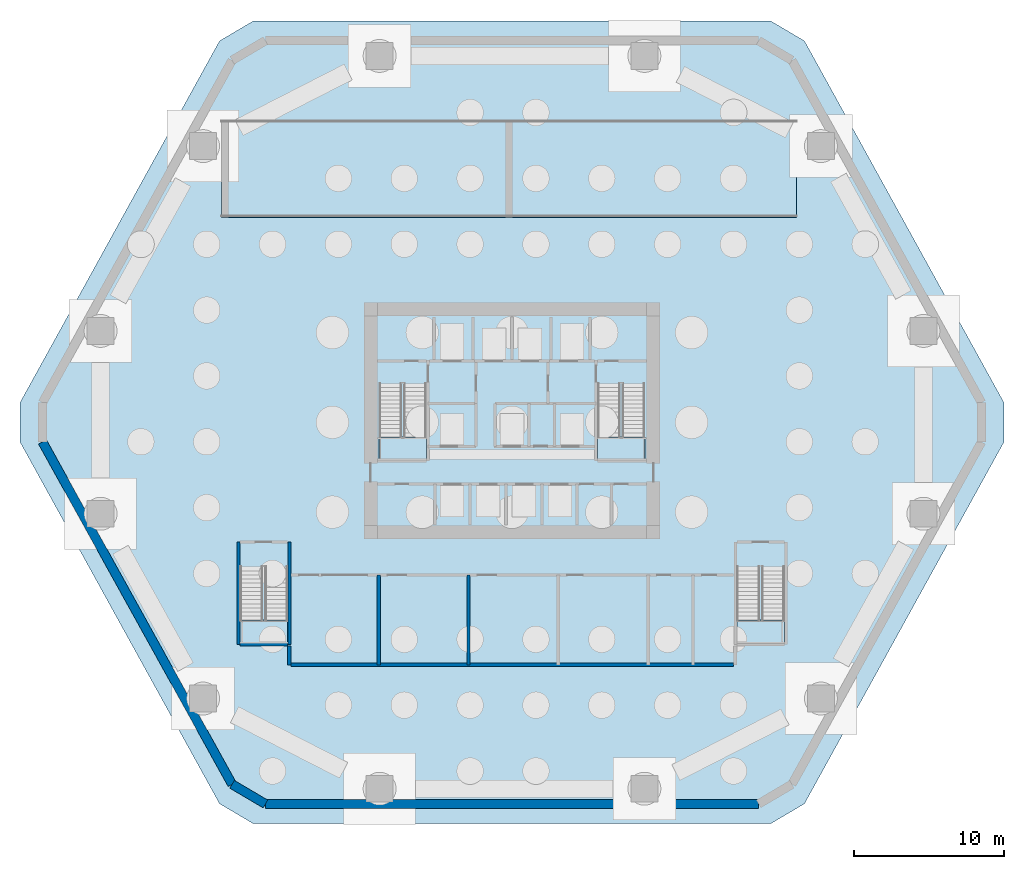
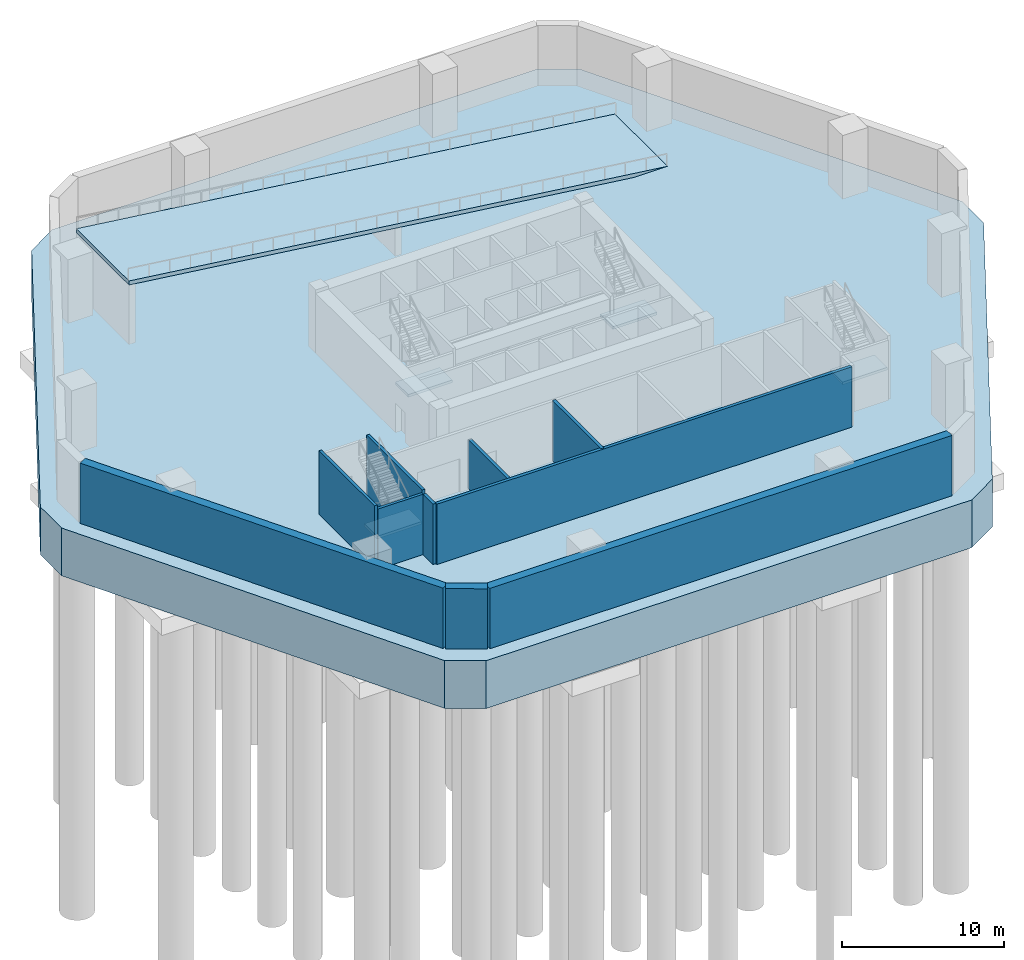
# One storey, part 2 of 9: 10 walls, 6 slabs, 4 elements without a shape of their own.
"""IFC4 building model written with IfcOpenShell, lengths in metres."""

from ifc_helpers import new_model, si_unit, direction, frame, frame_2d, origin, place, context, subcontext, project, spatial, polyline, rectangle, outline, extrude, material, layer, layer_set, type_object, element, aggregate, save


model = new_model("IFC4")

# Units and contexts
model_context = context("Model", 3, precision=1e-05, world=origin(), true_north=direction((0.0, 1.0)))
body_context = subcontext(model_context, "Body", "Model", "MODEL_VIEW")
ifc_project = project(units=[si_unit("LENGTHUNIT", "METRE"), si_unit("AREAUNIT", "SQUARE_METRE"), si_unit("VOLUMEUNIT", "CUBIC_METRE"), si_unit("PLANEANGLEUNIT", "RADIAN"), si_unit("MASSUNIT", "GRAM", prefix="KILO")], contexts=[model_context])

# Site, building, storey
site_placement = place(None, origin())
site = spatial("IfcSite", under=ifc_project, at=site_placement, CompositionType="ELEMENT")
building_placement = place(site_placement, origin())
building = spatial("IfcBuilding", under=site, at=building_placement, Name="Cinnabar Lancet Tower", CompositionType="ELEMENT")
storey_placement = place(building_placement, frame((0.0, 0.0, -4.800048828125)))
storey = spatial("IfcBuildingStorey", under=building, at=storey_placement, Name="B1", CompositionType="ELEMENT", Elevation=-4.800048828125)

# Stair, slab
ifc_material_1 = material(Name="Concrete C40/50", Category="concrete")
stair_type_1 = type_object("IfcStairType", Name="ST-CORE", PredefinedType="HALF_TURN_STAIR", material=ifc_material_1)
stair_1_placement = place(storey_placement, origin())
stair_1 = element("IfcStair", 1, at=stair_1_placement, inside=storey, type_object=stair_type_1, Name="B1 ST-1", PredefinedType="HALF_TURN_STAIR")
ifc_material_2 = material(Name="Concrete C40/50", Category="concrete")
ifc_layer_1 = layer(ifc_material_2, 0.199951171875)
ifc_layer_set_1 = layer_set([ifc_layer_1], Name="Concrete C40/50")
slab_type_1 = type_object("IfcSlabType", Name="LANDING-CORE", PredefinedType="LANDING", material=ifc_layer_set_1)
slab_1_placement = place(storey_placement, frame((0.0, 0.0, 2.199951171875)))
slab_1 = element("IfcSlab", 2, at=slab_1_placement, type_object=slab_type_1, Name="ST-1 landing 1", PredefinedType="LANDING", context=body_context, shape_type="SweptSolid", body=[
    extrude(outline(polyline([(23.52490234375, 24.824951171875), (23.52490234375, 23.25), (26.675048828125, 23.25), (26.675048828125, 24.824951171875), (23.52490234375, 24.824951171875)])), origin(), (0.0, 0.0, 1.0), 0.2001953125),
])
aggregate(stair_1, [slab_1])

stair_2_placement = place(storey_placement, origin())
stair_2 = element("IfcStair", 3, at=stair_2_placement, inside=storey, type_object=stair_type_1, Name="B1 ST-2", PredefinedType="HALF_TURN_STAIR")
slab_2_placement = place(storey_placement, frame((0.0, 0.0, 2.199951171875)))
slab_2 = element("IfcSlab", 4, at=slab_2_placement, type_object=slab_type_1, Name="ST-2 landing 1", PredefinedType="LANDING", context=body_context, shape_type="SweptSolid", body=[
    extrude(outline(polyline([(38.125, 24.824951171875), (38.125, 23.25), (41.27490234375, 23.25), (41.27490234375, 24.824951171875), (38.125, 24.824951171875)])), origin(), (0.0, 0.0, 1.0), 0.2001953125),
])
aggregate(stair_2, [slab_2])

ifc_material_3 = material(Name="Concrete C40/50", Category="concrete")
stair_type_2 = type_object("IfcStairType", Name="ST-POD", PredefinedType="HALF_TURN_STAIR", material=ifc_material_3)
stair_3_placement = place(storey_placement, origin())
stair_3 = element("IfcStair", 5, at=stair_3_placement, inside=storey, type_object=stair_type_2, Name="B1 ST-3", PredefinedType="HALF_TURN_STAIR")
ifc_material_4 = material(Name="Concrete C40/50", Category="concrete")
ifc_layer_2 = layer(ifc_material_4, 0.2099609375)
ifc_layer_set_2 = layer_set([ifc_layer_2], Name="Concrete C40/50")
slab_type_2 = type_object("IfcSlabType", Name="LANDING-POD", PredefinedType="LANDING", material=ifc_layer_set_2)
slab_3_placement = place(storey_placement, frame((0.0, 0.0, 2.199951171875)))
slab_3 = element("IfcSlab", 6, at=slab_3_placement, type_object=slab_type_2, Name="ST-3 landing 1", PredefinedType="LANDING", context=body_context, shape_type="SweptSolid", body=[
    extrude(outline(polyline([(14.22509765625, 12.574951171875), (14.22509765625, 11.0), (17.4150390625, 11.0), (17.4150390625, 12.574951171875), (14.22509765625, 12.574951171875)])), origin(), (0.0, 0.0, 1.0), 0.2001953125),
])
aggregate(stair_3, [slab_3])

stair_4_placement = place(storey_placement, origin())
stair_4 = element("IfcStair", 7, at=stair_4_placement, inside=storey, type_object=stair_type_2, Name="B1 ST-4", PredefinedType="HALF_TURN_STAIR")
slab_4_placement = place(storey_placement, frame((0.0, 0.0, 2.199951171875)))
slab_4 = element("IfcSlab", 8, at=slab_4_placement, type_object=slab_type_2, Name="ST-4 landing 1", PredefinedType="LANDING", context=body_context, shape_type="SweptSolid", body=[
    extrude(outline(polyline([(47.425048828125, 12.574951171875), (47.425048828125, 11.0), (50.614990234375, 11.0), (50.614990234375, 12.574951171875), (47.425048828125, 12.574951171875)])), origin(), (0.0, 0.0, 1.0), 0.2001953125),
])
aggregate(stair_4, [slab_4])

# Slabs
ifc_material_5 = material(Name="Concrete C60/75", Category="concrete")
ifc_layer_3 = layer(ifc_material_5, 3.60009765625)
ifc_layer_set_3 = layer_set([ifc_layer_3], Name="Concrete C60/75")
slab_type_3 = type_object("IfcSlabType", Name="STR-SLB-RAFT-3600", PredefinedType="BASESLAB", material=ifc_layer_set_3)
slab_5_placement = place(storey_placement, frame((0.0, 0.0, -3.599853515625)))
element("IfcSlab", 9, at=slab_5_placement, inside=storey, type_object=slab_type_3, Name="Basement B1 3600 mm C60/75 Piled Raft Slab", PredefinedType="BASESLAB", context=body_context, shape_type="SweptSolid", body=[
    extrude(outline(polyline([(12.85888671875, 0.31298828125), (15.083984375, -1.0), (49.716064453125, -1.0), (51.94091796875, 0.31298828125), (65.27490234375, 24.487060546875), (65.27490234375, 27.113037109375), (51.94091796875, 51.287109375), (49.716064453125, 52.60009765625), (15.083984375, 52.60009765625), (12.85888671875, 51.287109375), (-0.47509765625, 27.113037109375), (-0.47509765625, 24.487060546875), (12.85888671875, 0.31298828125)])), origin(), (0.0, 0.0, 1.0), 3.599853515625),
])
ifc_material_6 = material(Name="Concrete C45/55", Category="concrete")
ifc_layer_4 = layer(ifc_material_6, 0.300048828125)
ifc_layer_set_4 = layer_set([ifc_layer_4], Name="Concrete C45/55")
slab_type_4 = type_object("IfcSlabType", Name="STR-SLB-RMP-300", PredefinedType="USERDEFINED", material=ifc_layer_set_4)
slab_6_placement = place(storey_placement, frame((51.39990234375, 39.5, 0.0), z_axis=(0.0, 1.0, 0.0), x_axis=(-1.0, 0.0, 0.0)))
element("IfcSlab", 10, at=slab_6_placement, inside=storey, type_object=slab_type_4, Name="Car Park Vehicle Ramp VR-01 Structural Slab", ObjectType="RAMP", PredefinedType="USERDEFINED", context=body_context, shape_type="SweptSolid", body=[
    extrude(outline(polyline([(0.0, 0.001953125), (2.416015625, 0.001953125), (38.39990234375, 4.498046875), (38.39990234375, 4.800048828125), (0.0, 0.001953125)])), origin(), (0.0, 0.0, 1.0), 6.5),
])

# Walls
ifc_material_7 = material(Name="Acoustic masonry plant room wall", Category="masonry")
ifc_layer_5 = layer(ifc_material_7, 0.219970703125)
ifc_layer_set_5 = layer_set([ifc_layer_5], Name="Acoustic masonry plant room wall")
wall_type_1 = type_object("IfcWallType", Name="ARC-WL-PLANT-220", PredefinedType="PARTITIONING", material=ifc_layer_set_5)
wall_1_placement = place(storey_placement, frame((17.625, 9.60009765625, 0.0), z_axis=(0.0, 0.0, 1.0), x_axis=(1.0, 0.0, 0.0)))
element("IfcWall", 11, at=wall_1_placement, inside=storey, type_object=wall_type_1, Name="PW-B1-PLS", PredefinedType="PARTITIONING", context=body_context, shape_type="SweptSolid", body=[
    extrude(rectangle(XDim=29.590087890625, YDim=0.219970703125, at=frame_2d((14.794921875, 0.0))), origin(), (0.0, 0.0, 1.0), 4.550048828125),
])
wall_2_placement = place(storey_placement, frame((17.52001953125, 9.60009765625, 0.0), z_axis=(0.0, 0.0, 1.0), x_axis=(0.0, 1.0, 0.0)))
element("IfcWall", 12, at=wall_2_placement, inside=storey, type_object=wall_type_1, Name="PW-B1-PLW", PredefinedType="PARTITIONING", context=body_context, shape_type="SweptSolid", body=[
    extrude(rectangle(XDim=1.244873046875, YDim=0.219970703125, at=frame_2d((0.62255859375, 0.0))), origin(), (0.0, 0.0, 1.0), 4.550048828125),
])
wall_3_placement = place(storey_placement, frame((23.5, 9.60009765625, 0.0), z_axis=(0.0, 0.0, 1.0), x_axis=(0.0, 1.0, 0.0)))
element("IfcWall", 13, at=wall_3_placement, inside=storey, type_object=wall_type_1, Name="PW-B1-PLD-235", PredefinedType="PARTITIONING", context=body_context, shape_type="SweptSolid", body=[
    extrude(rectangle(XDim=6.0, YDim=0.219970703125, at=frame_2d((3.0, 0.0))), origin(), (0.0, 0.0, 1.0), 3.68896484375),
])
wall_4_placement = place(storey_placement, frame((29.5, 9.60009765625, 0.0), z_axis=(0.0, 0.0, 1.0), x_axis=(0.0, 1.0, 0.0)))
element("IfcWall", 14, at=wall_4_placement, inside=storey, type_object=wall_type_1, Name="PW-B1-PLD-295", PredefinedType="PARTITIONING", context=body_context, shape_type="SweptSolid", body=[
    extrude(rectangle(XDim=6.0, YDim=0.219970703125, at=frame_2d((3.0, 0.0))), origin(), (0.0, 0.0, 1.0), 4.550048828125),
])
ifc_material_8 = material(Name="Autoclaved aerated concrete blockwork", Category="masonry")
ifc_layer_6 = layer(ifc_material_8, 0.199951171875)
ifc_layer_set_6 = layer_set([ifc_layer_6], Name="Autoclaved aerated concrete blockwork")
wall_type_2 = type_object("IfcWallType", Name="ARC-WL-SHAFT-200", PredefinedType="PLUMBINGWALL", material=ifc_layer_set_6)
wall_5_placement = place(storey_placement, frame((14.22509765625, 10.949951171875, 0.0), z_axis=(0.0, 0.0, 1.0), x_axis=(1.0, 0.0, 0.0)))
element("IfcWall", 15, at=wall_5_placement, inside=storey, type_object=wall_type_2, Name="PW-ST3S-B1", PredefinedType="PLUMBINGWALL", context=body_context, shape_type="SweptSolid", body=[
    extrude(rectangle(XDim=3.18994140625, YDim=0.199951171875, at=frame_2d((1.594970703125, 0.0))), origin(), (0.0, 0.0, 1.0), 4.550048828125),
])
ifc_material_9 = material(Name="Concrete C50/60", Category="concrete")
ifc_layer_7 = layer(ifc_material_9, 0.60009765625)
ifc_layer_set_7 = layer_set([ifc_layer_7], Name="Concrete C50/60")
wall_type_3 = type_object("IfcWallType", Name="STR-WL-RET-600", PredefinedType="USERDEFINED", material=ifc_layer_set_7)
wall_6_placement = place(storey_placement, frame((13.697021484375, 1.612060546875, 0.0), z_axis=(0.0, 0.0, 1.0), x_axis=(0.861598949961, -0.507589646689, 0.0)))
element("IfcWall", 16, at=wall_6_placement, inside=storey, type_object=wall_type_3, Name="Basement B1 Waterproof Retaining Wall 1", ObjectType="RETAININGWALL", PredefinedType="USERDEFINED", context=body_context, shape_type="SweptSolid", body=[
    extrude(rectangle(XDim=2.584716796875, YDim=0.60009765625, at=frame_2d((1.29248046875, 0.0))), origin(), (0.0, 0.0, 1.0), 4.550048828125),
])
wall_7_placement = place(storey_placement, frame((15.924072265625, 0.300048828125, 0.0), z_axis=(0.0, 0.0, 1.0), x_axis=(1.0, 0.0, 0.0)))
element("IfcWall", 17, at=wall_7_placement, inside=storey, type_object=wall_type_3, Name="Basement B1 Waterproof Retaining Wall 2", ObjectType="RETAININGWALL", PredefinedType="USERDEFINED", context=body_context, shape_type="SweptSolid", body=[
    extrude(rectangle(XDim=32.951904296875, YDim=0.60009765625, at=frame_2d((16.47607421875, 0.0))), origin(), (0.0, 0.0, 1.0), 4.550048828125),
])
wall_8_placement = place(storey_placement, frame((1.027099609375, 24.488037109375, 0.0), z_axis=(0.0, 0.0, 1.0), x_axis=(0.484504224603, -0.874788921021, 0.0)))
element("IfcWall", 18, at=wall_8_placement, inside=storey, type_object=wall_type_3, Name="Basement B1 Waterproof Retaining Wall 12", ObjectType="RETAININGWALL", PredefinedType="USERDEFINED", context=body_context, shape_type="SweptSolid", body=[
    extrude(rectangle(XDim=26.150390625, YDim=0.60009765625, at=frame_2d((13.0751953125, 0.0))), origin(), (0.0, 0.0, 1.0), 4.550048828125),
])
ifc_material_10 = material(Name="Concrete C50/60", Category="concrete")
ifc_layer_8 = layer(ifc_material_10, 0.199951171875)
ifc_layer_set_8 = layer_set([ifc_layer_8], Name="Concrete C50/60")
wall_type_4 = type_object("IfcWallType", Name="STR-WL-STAIR-200", PredefinedType="SHEAR", material=ifc_layer_set_8)
for number, where, z_axis, x_axis, name in (
    (19, (14.1201171875, 10.949951171875, 0.0), (0.0, 0.0, 1.0), (0.0, 1.0, 0.0), "B1 Stair ST3 West Structural Wall"),
    (20, (17.52001953125, 10.949951171875, 0.0), (0.0, 0.0, 1.0), (0.0, 1.0, 0.0), "B1 Stair ST3 East Structural Wall"),
):
    element("IfcWall", number, at=place(storey_placement, frame(where, z_axis=z_axis, x_axis=x_axis)), inside=storey, type_object=wall_type_4, Name=name, PredefinedType="SHEAR", context=body_context, shape_type="SweptSolid", body=[
        extrude(rectangle(XDim=6.85009765625, YDim=0.199951171875, at=frame_2d((3.425048828125, 0.0))), origin(), (0.0, 0.0, 1.0), 4.800048828125),
    ])

save(model, "model.ifc")
